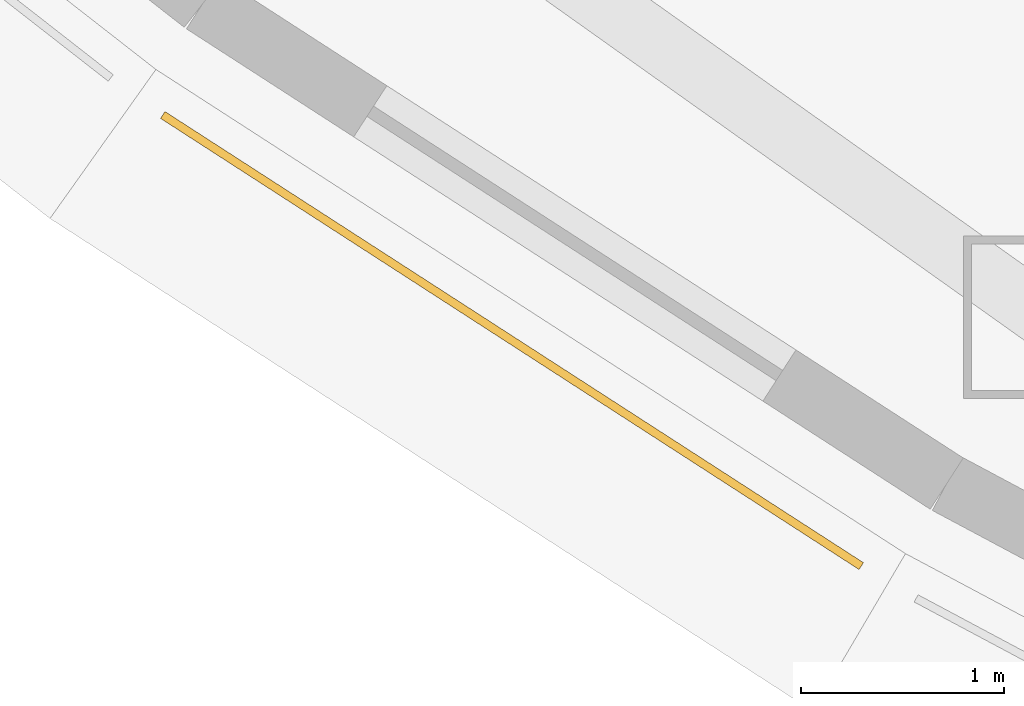
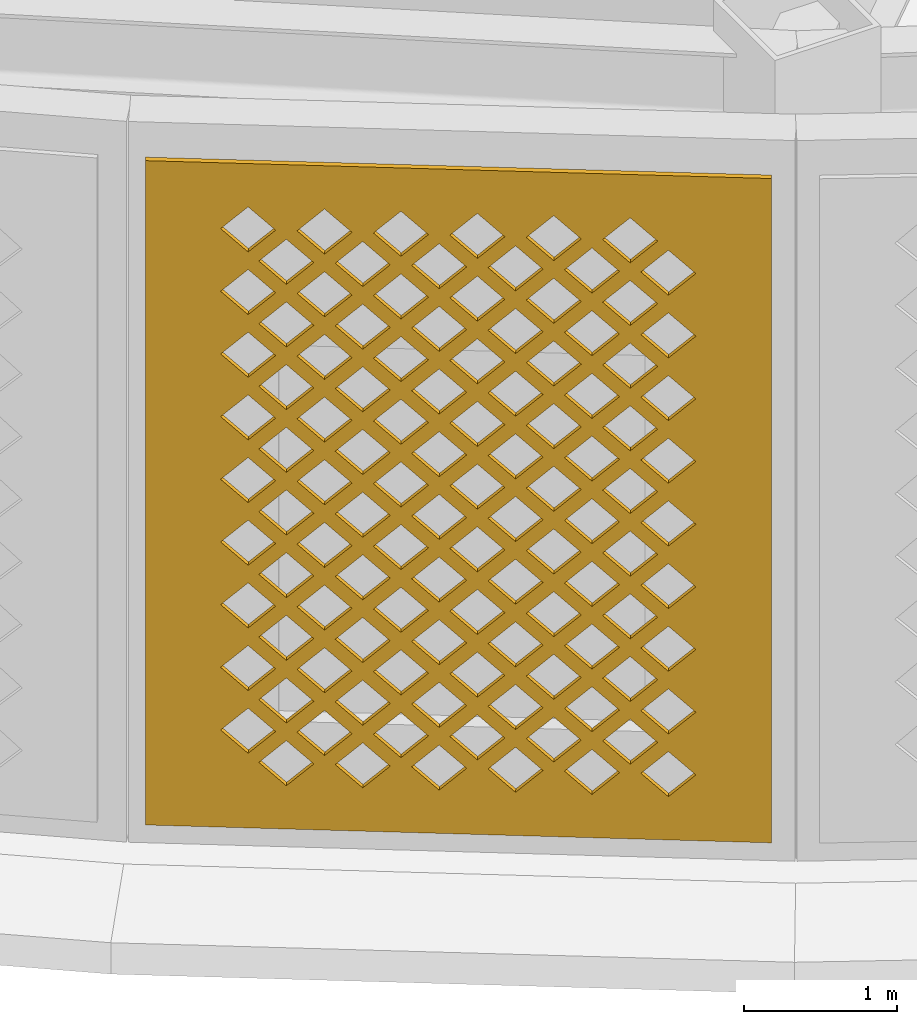
# One storey, part 36 of 74: 1 covering.
"""IFC4 building model written with IfcOpenShell, lengths in metres."""

from ifc_helpers import new_model, si_unit, direction, frame, origin, place, context, subcontext, project, spatial, polyline, outline, extrude, material, layer, layer_set, type_object, element, save


model = new_model("IFC4")

# Units and contexts
model_context = context("Model", 3, precision=1e-05, world=origin(), true_north=direction((0.0, 1.0)))
body_context = subcontext(model_context, "Body", "Model", "MODEL_VIEW")
ifc_project = project(units=[si_unit("LENGTHUNIT", "METRE"), si_unit("AREAUNIT", "SQUARE_METRE"), si_unit("VOLUMEUNIT", "CUBIC_METRE"), si_unit("PLANEANGLEUNIT", "RADIAN"), si_unit("MASSUNIT", "GRAM", prefix="KILO")], contexts=[model_context])

# Site, building, storey
site_placement = place(None, origin())
site = spatial("IfcSite", under=ifc_project, at=site_placement, CompositionType="ELEMENT")
building_placement = place(site_placement, origin())
building = spatial("IfcBuilding", under=site, at=building_placement, Name="Noorbagh Ring Tower", CompositionType="ELEMENT")
storey_placement = place(building_placement, frame((0.0, 0.0, 13.5)))
storey = spatial("IfcBuildingStorey", under=building, at=storey_placement, Name="L02", CompositionType="ELEMENT", Elevation=13.5)

# Covering
ifc_material = material(Name="Red sandstone jali", Category="masonry")
ifc_layer = layer(ifc_material, 0.0400390625)
ifc_layer_set = layer_set([ifc_layer], Name="Red sandstone jali")
covering_type = type_object("IfcCoveringType", Name="STY-JALI", PredefinedType="USERDEFINED", material=ifc_layer_set)
covering_placement = place(storey_placement, frame((-35.224853515625, -29.6494140625, 0.449951171875), z_axis=(-0.542524555296, -0.840039943634, 0.0), x_axis=(0.840039943634, -0.542524555296, 0.0)))
element("IfcCovering", 1, at=covering_placement, inside=storey, type_object=covering_type, Name="Jali screen", ObjectType="SCREEN", PredefinedType="USERDEFINED", context=body_context, shape_type="SweptSolid", body=[
    extrude(outline(polyline([(0.0, 0.0), (4.096435546875, 0.0), (4.096435546875, 5.300048828125), (0.0, 5.300048828125), (0.0, 0.0)]), holes=[polyline([(0.7431640625, 0.52490234375), (0.923095703125, 0.344970703125), (1.103271484375, 0.52490234375), (0.923095703125, 0.705078125), (0.7431640625, 0.52490234375)]), polyline([(1.2431640625, 0.52490234375), (1.423095703125, 0.344970703125), (1.603271484375, 0.52490234375), (1.423095703125, 0.705078125), (1.2431640625, 0.52490234375)]), polyline([(1.7431640625, 0.52490234375), (1.923095703125, 0.344970703125), (2.103271484375, 0.52490234375), (1.923095703125, 0.705078125), (1.7431640625, 0.52490234375)]), polyline([(2.2431640625, 0.52490234375), (2.423095703125, 0.344970703125), (2.603271484375, 0.52490234375), (2.423095703125, 0.705078125), (2.2431640625, 0.52490234375)]), polyline([(2.7431640625, 0.52490234375), (2.923095703125, 0.344970703125), (3.103271484375, 0.52490234375), (2.923095703125, 0.705078125), (2.7431640625, 0.52490234375)]), polyline([(3.2431640625, 0.52490234375), (3.423095703125, 0.344970703125), (3.603271484375, 0.52490234375), (3.423095703125, 0.705078125), (3.2431640625, 0.52490234375)]), polyline([(0.4931640625, 0.77490234375), (0.673095703125, 0.594970703125), (0.853271484375, 0.77490234375), (0.673095703125, 0.955078125), (0.4931640625, 0.77490234375)]), polyline([(0.9931640625, 0.77490234375), (1.173095703125, 0.594970703125), (1.353271484375, 0.77490234375), (1.173095703125, 0.955078125), (0.9931640625, 0.77490234375)]), polyline([(1.4931640625, 0.77490234375), (1.673095703125, 0.594970703125), (1.853271484375, 0.77490234375), (1.673095703125, 0.955078125), (1.4931640625, 0.77490234375)]), polyline([(1.9931640625, 0.77490234375), (2.173095703125, 0.594970703125), (2.353271484375, 0.77490234375), (2.173095703125, 0.955078125), (1.9931640625, 0.77490234375)]), polyline([(2.4931640625, 0.77490234375), (2.673095703125, 0.594970703125), (2.853271484375, 0.77490234375), (2.673095703125, 0.955078125), (2.4931640625, 0.77490234375)]), polyline([(2.9931640625, 0.77490234375), (3.173095703125, 0.594970703125), (3.353271484375, 0.77490234375), (3.173095703125, 0.955078125), (2.9931640625, 0.77490234375)]), polyline([(0.7431640625, 1.02490234375), (0.923095703125, 0.844970703125), (1.103271484375, 1.02490234375), (0.923095703125, 1.205078125), (0.7431640625, 1.02490234375)]), polyline([(1.2431640625, 1.02490234375), (1.423095703125, 0.844970703125), (1.603271484375, 1.02490234375), (1.423095703125, 1.205078125), (1.2431640625, 1.02490234375)]), polyline([(1.7431640625, 1.02490234375), (1.923095703125, 0.844970703125), (2.103271484375, 1.02490234375), (1.923095703125, 1.205078125), (1.7431640625, 1.02490234375)]), polyline([(2.2431640625, 1.02490234375), (2.423095703125, 0.844970703125), (2.603271484375, 1.02490234375), (2.423095703125, 1.205078125), (2.2431640625, 1.02490234375)]), polyline([(2.7431640625, 1.02490234375), (2.923095703125, 0.844970703125), (3.103271484375, 1.02490234375), (2.923095703125, 1.205078125), (2.7431640625, 1.02490234375)]), polyline([(3.2431640625, 1.02490234375), (3.423095703125, 0.844970703125), (3.603271484375, 1.02490234375), (3.423095703125, 1.205078125), (3.2431640625, 1.02490234375)]), polyline([(0.4931640625, 1.27490234375), (0.673095703125, 1.094970703125), (0.853271484375, 1.27490234375), (0.673095703125, 1.455078125), (0.4931640625, 1.27490234375)]), polyline([(0.9931640625, 1.27490234375), (1.173095703125, 1.094970703125), (1.353271484375, 1.27490234375), (1.173095703125, 1.455078125), (0.9931640625, 1.27490234375)]), polyline([(1.4931640625, 1.27490234375), (1.673095703125, 1.094970703125), (1.853271484375, 1.27490234375), (1.673095703125, 1.455078125), (1.4931640625, 1.27490234375)]), polyline([(1.9931640625, 1.27490234375), (2.173095703125, 1.094970703125), (2.353271484375, 1.27490234375), (2.173095703125, 1.455078125), (1.9931640625, 1.27490234375)]), polyline([(2.4931640625, 1.27490234375), (2.673095703125, 1.094970703125), (2.853271484375, 1.27490234375), (2.673095703125, 1.455078125), (2.4931640625, 1.27490234375)]), polyline([(2.9931640625, 1.27490234375), (3.173095703125, 1.094970703125), (3.353271484375, 1.27490234375), (3.173095703125, 1.455078125), (2.9931640625, 1.27490234375)]), polyline([(0.7431640625, 1.52490234375), (0.923095703125, 1.344970703125), (1.103271484375, 1.52490234375), (0.923095703125, 1.705078125), (0.7431640625, 1.52490234375)]), polyline([(1.2431640625, 1.52490234375), (1.423095703125, 1.344970703125), (1.603271484375, 1.52490234375), (1.423095703125, 1.705078125), (1.2431640625, 1.52490234375)]), polyline([(1.7431640625, 1.52490234375), (1.923095703125, 1.344970703125), (2.103271484375, 1.52490234375), (1.923095703125, 1.705078125), (1.7431640625, 1.52490234375)]), polyline([(2.2431640625, 1.52490234375), (2.423095703125, 1.344970703125), (2.603271484375, 1.52490234375), (2.423095703125, 1.705078125), (2.2431640625, 1.52490234375)]), polyline([(2.7431640625, 1.52490234375), (2.923095703125, 1.344970703125), (3.103271484375, 1.52490234375), (2.923095703125, 1.705078125), (2.7431640625, 1.52490234375)]), polyline([(3.2431640625, 1.52490234375), (3.423095703125, 1.344970703125), (3.603271484375, 1.52490234375), (3.423095703125, 1.705078125), (3.2431640625, 1.52490234375)]), polyline([(0.4931640625, 1.77490234375), (0.673095703125, 1.594970703125), (0.853271484375, 1.77490234375), (0.673095703125, 1.955078125), (0.4931640625, 1.77490234375)]), polyline([(0.9931640625, 1.77490234375), (1.173095703125, 1.594970703125), (1.353271484375, 1.77490234375), (1.173095703125, 1.955078125), (0.9931640625, 1.77490234375)]), polyline([(1.4931640625, 1.77490234375), (1.673095703125, 1.594970703125), (1.853271484375, 1.77490234375), (1.673095703125, 1.955078125), (1.4931640625, 1.77490234375)]), polyline([(1.9931640625, 1.77490234375), (2.173095703125, 1.594970703125), (2.353271484375, 1.77490234375), (2.173095703125, 1.955078125), (1.9931640625, 1.77490234375)]), polyline([(2.4931640625, 1.77490234375), (2.673095703125, 1.594970703125), (2.853271484375, 1.77490234375), (2.673095703125, 1.955078125), (2.4931640625, 1.77490234375)]), polyline([(2.9931640625, 1.77490234375), (3.173095703125, 1.594970703125), (3.353271484375, 1.77490234375), (3.173095703125, 1.955078125), (2.9931640625, 1.77490234375)]), polyline([(0.7431640625, 2.02490234375), (0.923095703125, 1.844970703125), (1.103271484375, 2.02490234375), (0.923095703125, 2.205078125), (0.7431640625, 2.02490234375)]), polyline([(1.2431640625, 2.02490234375), (1.423095703125, 1.844970703125), (1.603271484375, 2.02490234375), (1.423095703125, 2.205078125), (1.2431640625, 2.02490234375)]), polyline([(1.7431640625, 2.02490234375), (1.923095703125, 1.844970703125), (2.103271484375, 2.02490234375), (1.923095703125, 2.205078125), (1.7431640625, 2.02490234375)]), polyline([(2.2431640625, 2.02490234375), (2.423095703125, 1.844970703125), (2.603271484375, 2.02490234375), (2.423095703125, 2.205078125), (2.2431640625, 2.02490234375)]), polyline([(2.7431640625, 2.02490234375), (2.923095703125, 1.844970703125), (3.103271484375, 2.02490234375), (2.923095703125, 2.205078125), (2.7431640625, 2.02490234375)]), polyline([(3.2431640625, 2.02490234375), (3.423095703125, 1.844970703125), (3.603271484375, 2.02490234375), (3.423095703125, 2.205078125), (3.2431640625, 2.02490234375)]), polyline([(0.4931640625, 2.27490234375), (0.673095703125, 2.094970703125), (0.853271484375, 2.27490234375), (0.673095703125, 2.455078125), (0.4931640625, 2.27490234375)]), polyline([(0.9931640625, 2.27490234375), (1.173095703125, 2.094970703125), (1.353271484375, 2.27490234375), (1.173095703125, 2.455078125), (0.9931640625, 2.27490234375)]), polyline([(1.4931640625, 2.27490234375), (1.673095703125, 2.094970703125), (1.853271484375, 2.27490234375), (1.673095703125, 2.455078125), (1.4931640625, 2.27490234375)]), polyline([(1.9931640625, 2.27490234375), (2.173095703125, 2.094970703125), (2.353271484375, 2.27490234375), (2.173095703125, 2.455078125), (1.9931640625, 2.27490234375)]), polyline([(2.4931640625, 2.27490234375), (2.673095703125, 2.094970703125), (2.853271484375, 2.27490234375), (2.673095703125, 2.455078125), (2.4931640625, 2.27490234375)]), polyline([(2.9931640625, 2.27490234375), (3.173095703125, 2.094970703125), (3.353271484375, 2.27490234375), (3.173095703125, 2.455078125), (2.9931640625, 2.27490234375)]), polyline([(0.7431640625, 2.52490234375), (0.923095703125, 2.344970703125), (1.103271484375, 2.52490234375), (0.923095703125, 2.705078125), (0.7431640625, 2.52490234375)]), polyline([(1.2431640625, 2.52490234375), (1.423095703125, 2.344970703125), (1.603271484375, 2.52490234375), (1.423095703125, 2.705078125), (1.2431640625, 2.52490234375)]), polyline([(1.7431640625, 2.52490234375), (1.923095703125, 2.344970703125), (2.103271484375, 2.52490234375), (1.923095703125, 2.705078125), (1.7431640625, 2.52490234375)]), polyline([(2.2431640625, 2.52490234375), (2.423095703125, 2.344970703125), (2.603271484375, 2.52490234375), (2.423095703125, 2.705078125), (2.2431640625, 2.52490234375)]), polyline([(2.7431640625, 2.52490234375), (2.923095703125, 2.344970703125), (3.103271484375, 2.52490234375), (2.923095703125, 2.705078125), (2.7431640625, 2.52490234375)]), polyline([(3.2431640625, 2.52490234375), (3.423095703125, 2.344970703125), (3.603271484375, 2.52490234375), (3.423095703125, 2.705078125), (3.2431640625, 2.52490234375)]), polyline([(0.4931640625, 2.77490234375), (0.673095703125, 2.594970703125), (0.853271484375, 2.77490234375), (0.673095703125, 2.955078125), (0.4931640625, 2.77490234375)]), polyline([(0.9931640625, 2.77490234375), (1.173095703125, 2.594970703125), (1.353271484375, 2.77490234375), (1.173095703125, 2.955078125), (0.9931640625, 2.77490234375)]), polyline([(1.4931640625, 2.77490234375), (1.673095703125, 2.594970703125), (1.853271484375, 2.77490234375), (1.673095703125, 2.955078125), (1.4931640625, 2.77490234375)]), polyline([(1.9931640625, 2.77490234375), (2.173095703125, 2.594970703125), (2.353271484375, 2.77490234375), (2.173095703125, 2.955078125), (1.9931640625, 2.77490234375)]), polyline([(2.4931640625, 2.77490234375), (2.673095703125, 2.594970703125), (2.853271484375, 2.77490234375), (2.673095703125, 2.955078125), (2.4931640625, 2.77490234375)]), polyline([(2.9931640625, 2.77490234375), (3.173095703125, 2.594970703125), (3.353271484375, 2.77490234375), (3.173095703125, 2.955078125), (2.9931640625, 2.77490234375)]), polyline([(0.7431640625, 3.02490234375), (0.923095703125, 2.844970703125), (1.103271484375, 3.02490234375), (0.923095703125, 3.205078125), (0.7431640625, 3.02490234375)]), polyline([(1.2431640625, 3.02490234375), (1.423095703125, 2.844970703125), (1.603271484375, 3.02490234375), (1.423095703125, 3.205078125), (1.2431640625, 3.02490234375)]), polyline([(1.7431640625, 3.02490234375), (1.923095703125, 2.844970703125), (2.103271484375, 3.02490234375), (1.923095703125, 3.205078125), (1.7431640625, 3.02490234375)]), polyline([(2.2431640625, 3.02490234375), (2.423095703125, 2.844970703125), (2.603271484375, 3.02490234375), (2.423095703125, 3.205078125), (2.2431640625, 3.02490234375)]), polyline([(2.7431640625, 3.02490234375), (2.923095703125, 2.844970703125), (3.103271484375, 3.02490234375), (2.923095703125, 3.205078125), (2.7431640625, 3.02490234375)]), polyline([(3.2431640625, 3.02490234375), (3.423095703125, 2.844970703125), (3.603271484375, 3.02490234375), (3.423095703125, 3.205078125), (3.2431640625, 3.02490234375)]), polyline([(0.4931640625, 3.27490234375), (0.673095703125, 3.094970703125), (0.853271484375, 3.27490234375), (0.673095703125, 3.455078125), (0.4931640625, 3.27490234375)]), polyline([(0.9931640625, 3.27490234375), (1.173095703125, 3.094970703125), (1.353271484375, 3.27490234375), (1.173095703125, 3.455078125), (0.9931640625, 3.27490234375)]), polyline([(1.4931640625, 3.27490234375), (1.673095703125, 3.094970703125), (1.853271484375, 3.27490234375), (1.673095703125, 3.455078125), (1.4931640625, 3.27490234375)]), polyline([(1.9931640625, 3.27490234375), (2.173095703125, 3.094970703125), (2.353271484375, 3.27490234375), (2.173095703125, 3.455078125), (1.9931640625, 3.27490234375)]), polyline([(2.4931640625, 3.27490234375), (2.673095703125, 3.094970703125), (2.853271484375, 3.27490234375), (2.673095703125, 3.455078125), (2.4931640625, 3.27490234375)]), polyline([(2.9931640625, 3.27490234375), (3.173095703125, 3.094970703125), (3.353271484375, 3.27490234375), (3.173095703125, 3.455078125), (2.9931640625, 3.27490234375)]), polyline([(0.7431640625, 3.52490234375), (0.923095703125, 3.344970703125), (1.103271484375, 3.52490234375), (0.923095703125, 3.705078125), (0.7431640625, 3.52490234375)]), polyline([(1.2431640625, 3.52490234375), (1.423095703125, 3.344970703125), (1.603271484375, 3.52490234375), (1.423095703125, 3.705078125), (1.2431640625, 3.52490234375)]), polyline([(1.7431640625, 3.52490234375), (1.923095703125, 3.344970703125), (2.103271484375, 3.52490234375), (1.923095703125, 3.705078125), (1.7431640625, 3.52490234375)]), polyline([(2.2431640625, 3.52490234375), (2.423095703125, 3.344970703125), (2.603271484375, 3.52490234375), (2.423095703125, 3.705078125), (2.2431640625, 3.52490234375)]), polyline([(2.7431640625, 3.52490234375), (2.923095703125, 3.344970703125), (3.103271484375, 3.52490234375), (2.923095703125, 3.705078125), (2.7431640625, 3.52490234375)]), polyline([(3.2431640625, 3.52490234375), (3.423095703125, 3.344970703125), (3.603271484375, 3.52490234375), (3.423095703125, 3.705078125), (3.2431640625, 3.52490234375)]), polyline([(0.4931640625, 3.77490234375), (0.673095703125, 3.594970703125), (0.853271484375, 3.77490234375), (0.673095703125, 3.955078125), (0.4931640625, 3.77490234375)]), polyline([(0.9931640625, 3.77490234375), (1.173095703125, 3.594970703125), (1.353271484375, 3.77490234375), (1.173095703125, 3.955078125), (0.9931640625, 3.77490234375)]), polyline([(1.4931640625, 3.77490234375), (1.673095703125, 3.594970703125), (1.853271484375, 3.77490234375), (1.673095703125, 3.955078125), (1.4931640625, 3.77490234375)]), polyline([(1.9931640625, 3.77490234375), (2.173095703125, 3.594970703125), (2.353271484375, 3.77490234375), (2.173095703125, 3.955078125), (1.9931640625, 3.77490234375)]), polyline([(2.4931640625, 3.77490234375), (2.673095703125, 3.594970703125), (2.853271484375, 3.77490234375), (2.673095703125, 3.955078125), (2.4931640625, 3.77490234375)]), polyline([(2.9931640625, 3.77490234375), (3.173095703125, 3.594970703125), (3.353271484375, 3.77490234375), (3.173095703125, 3.955078125), (2.9931640625, 3.77490234375)]), polyline([(0.7431640625, 4.02490234375), (0.923095703125, 3.844970703125), (1.103271484375, 4.02490234375), (0.923095703125, 4.205078125), (0.7431640625, 4.02490234375)]), polyline([(1.2431640625, 4.02490234375), (1.423095703125, 3.844970703125), (1.603271484375, 4.02490234375), (1.423095703125, 4.205078125), (1.2431640625, 4.02490234375)]), polyline([(1.7431640625, 4.02490234375), (1.923095703125, 3.844970703125), (2.103271484375, 4.02490234375), (1.923095703125, 4.205078125), (1.7431640625, 4.02490234375)]), polyline([(2.2431640625, 4.02490234375), (2.423095703125, 3.844970703125), (2.603271484375, 4.02490234375), (2.423095703125, 4.205078125), (2.2431640625, 4.02490234375)]), polyline([(2.7431640625, 4.02490234375), (2.923095703125, 3.844970703125), (3.103271484375, 4.02490234375), (2.923095703125, 4.205078125), (2.7431640625, 4.02490234375)]), polyline([(3.2431640625, 4.02490234375), (3.423095703125, 3.844970703125), (3.603271484375, 4.02490234375), (3.423095703125, 4.205078125), (3.2431640625, 4.02490234375)]), polyline([(0.4931640625, 4.27490234375), (0.673095703125, 4.094970703125), (0.853271484375, 4.27490234375), (0.673095703125, 4.455078125), (0.4931640625, 4.27490234375)]), polyline([(0.9931640625, 4.27490234375), (1.173095703125, 4.094970703125), (1.353271484375, 4.27490234375), (1.173095703125, 4.455078125), (0.9931640625, 4.27490234375)]), polyline([(1.4931640625, 4.27490234375), (1.673095703125, 4.094970703125), (1.853271484375, 4.27490234375), (1.673095703125, 4.455078125), (1.4931640625, 4.27490234375)]), polyline([(1.9931640625, 4.27490234375), (2.173095703125, 4.094970703125), (2.353271484375, 4.27490234375), (2.173095703125, 4.455078125), (1.9931640625, 4.27490234375)]), polyline([(2.4931640625, 4.27490234375), (2.673095703125, 4.094970703125), (2.853271484375, 4.27490234375), (2.673095703125, 4.455078125), (2.4931640625, 4.27490234375)]), polyline([(2.9931640625, 4.27490234375), (3.173095703125, 4.094970703125), (3.353271484375, 4.27490234375), (3.173095703125, 4.455078125), (2.9931640625, 4.27490234375)]), polyline([(0.7431640625, 4.52490234375), (0.923095703125, 4.344970703125), (1.103271484375, 4.52490234375), (0.923095703125, 4.705078125), (0.7431640625, 4.52490234375)]), polyline([(1.2431640625, 4.52490234375), (1.423095703125, 4.344970703125), (1.603271484375, 4.52490234375), (1.423095703125, 4.705078125), (1.2431640625, 4.52490234375)]), polyline([(1.7431640625, 4.52490234375), (1.923095703125, 4.344970703125), (2.103271484375, 4.52490234375), (1.923095703125, 4.705078125), (1.7431640625, 4.52490234375)]), polyline([(2.2431640625, 4.52490234375), (2.423095703125, 4.344970703125), (2.603271484375, 4.52490234375), (2.423095703125, 4.705078125), (2.2431640625, 4.52490234375)]), polyline([(2.7431640625, 4.52490234375), (2.923095703125, 4.344970703125), (3.103271484375, 4.52490234375), (2.923095703125, 4.705078125), (2.7431640625, 4.52490234375)]), polyline([(3.2431640625, 4.52490234375), (3.423095703125, 4.344970703125), (3.603271484375, 4.52490234375), (3.423095703125, 4.705078125), (3.2431640625, 4.52490234375)]), polyline([(0.4931640625, 4.77490234375), (0.673095703125, 4.594970703125), (0.853271484375, 4.77490234375), (0.673095703125, 4.955078125), (0.4931640625, 4.77490234375)]), polyline([(0.9931640625, 4.77490234375), (1.173095703125, 4.594970703125), (1.353271484375, 4.77490234375), (1.173095703125, 4.955078125), (0.9931640625, 4.77490234375)]), polyline([(1.4931640625, 4.77490234375), (1.673095703125, 4.594970703125), (1.853271484375, 4.77490234375), (1.673095703125, 4.955078125), (1.4931640625, 4.77490234375)]), polyline([(1.9931640625, 4.77490234375), (2.173095703125, 4.594970703125), (2.353271484375, 4.77490234375), (2.173095703125, 4.955078125), (1.9931640625, 4.77490234375)]), polyline([(2.4931640625, 4.77490234375), (2.673095703125, 4.594970703125), (2.853271484375, 4.77490234375), (2.673095703125, 4.955078125), (2.4931640625, 4.77490234375)]), polyline([(2.9931640625, 4.77490234375), (3.173095703125, 4.594970703125), (3.353271484375, 4.77490234375), (3.173095703125, 4.955078125), (2.9931640625, 4.77490234375)])]), origin(), (0.0, 0.0, -1.0), 0.0400390625),
])

save(model, "model.ifc")
